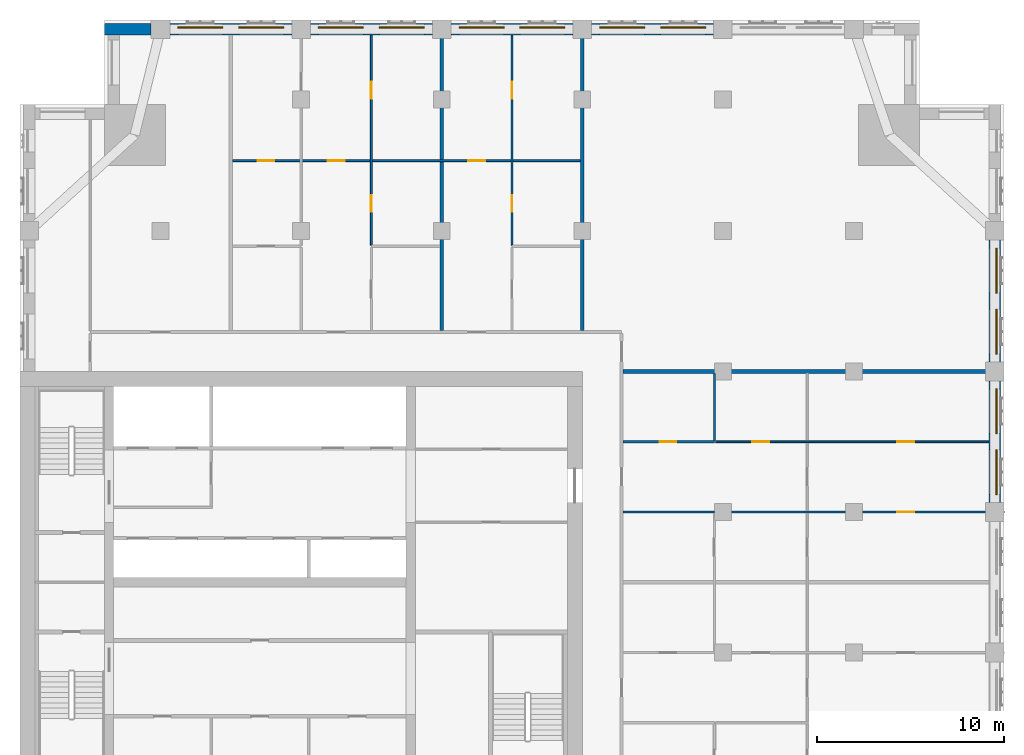
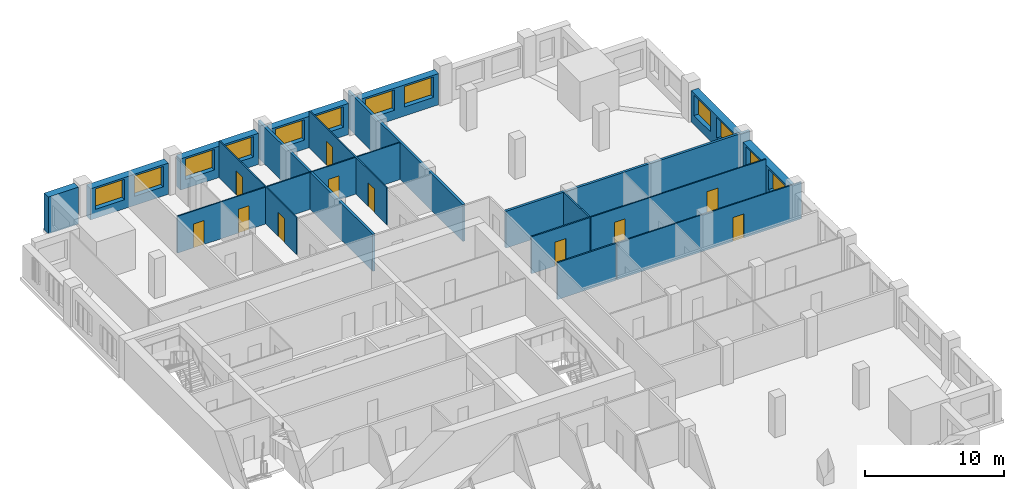
# One storey, part 11 of 14: 18 walls, 12 windows, 11 doors, 23 openings.
"""IFC4 building model written with IfcOpenShell, lengths in metres."""

from ifc_helpers import new_model, si_unit, direction, frame, frame_2d, origin, place, context, subcontext, project, spatial, rectangle, extrude, material, layer, layer_set, type_object, element, fill, save


model = new_model("IFC4")

# Units and contexts
model_context = context("Model", 3, precision=1e-05, world=origin(), true_north=direction((0.0, 1.0)))
body_context = subcontext(model_context, "Body", "Model", "MODEL_VIEW")
ifc_project = project(units=[si_unit("LENGTHUNIT", "METRE"), si_unit("AREAUNIT", "SQUARE_METRE"), si_unit("VOLUMEUNIT", "CUBIC_METRE"), si_unit("PLANEANGLEUNIT", "RADIAN"), si_unit("MASSUNIT", "GRAM", prefix="KILO")], contexts=[model_context])

# Site, building, storey
site_placement = place(None, origin())
site = spatial("IfcSite", under=ifc_project, at=site_placement, CompositionType="ELEMENT")
building_placement = place(site_placement, origin())
building = spatial("IfcBuilding", under=site, at=building_placement, Name="Tamorin Gate", CompositionType="ELEMENT")
storey_placement = place(building_placement, frame((0.0, 0.0, 193.199951171875)))
storey = spatial("IfcBuildingStorey", under=building, at=storey_placement, Name="L47", CompositionType="ELEMENT", Elevation=193.199951171875)

# Wall, openings, windows
ifc_material_1 = material(Name="Precast concrete C40/50", Category="concrete")
ifc_layer_1 = layer(ifc_material_1, 0.60009765625)
ifc_layer_set_1 = layer_set([ifc_layer_1], Name="Precast concrete C40/50")
wall_type_1 = type_object("IfcWallType", Name="Board-marked concrete facade panel 600", PredefinedType="SOLIDWALL", material=ifc_layer_set_1)
wall_1_placement = place(storey_placement, frame((82.0, 75.5, 0.0), z_axis=(0.0, 0.0, 1.0), x_axis=(0.0, 1.0, 0.0)))
wall_1 = element("IfcWall", 1, at=wall_1_placement, inside=storey, type_object=wall_type_1, Name="Facade panel", PredefinedType="SOLIDWALL", context=body_context, shape_type="SweptSolid", body=[
    extrude(rectangle(XDim=6.5, YDim=0.60009765625, at=frame_2d((3.25, 0.0))), origin(), (0.0, 0.0, 1.0), 2.75),
])
opening_1_placement = place(wall_1_placement, frame((0.425048828125, 0.0, 0.800048828125)))
opening_1 = element("IfcOpeningElement", 2, at=opening_1_placement, cuts=wall_1, Name="Opening WN1", PredefinedType="OPENING", context=body_context, shape_type="SweptSolid", body=[
    extrude(rectangle(XDim=2.39990234375, YDim=1.800048828125, at=frame_2d((1.199951171875, 0.89990234375))), frame((0.0, 0.31005859375, 0.0), z_axis=(0.0, -1.0, 0.0), x_axis=(1.0, 0.0, 0.0)), (0.0, 0.0, 1.0), 0.6201171875),
])
opening_2_placement = place(wall_1_placement, frame((3.675048828125, 0.0, 0.800048828125)))
opening_2 = element("IfcOpeningElement", 3, at=opening_2_placement, cuts=wall_1, Name="Opening WN1", PredefinedType="OPENING", context=body_context, shape_type="SweptSolid", body=[
    extrude(rectangle(XDim=2.39990234375, YDim=1.800048828125, at=frame_2d((1.199951171875, 0.89990234375))), frame((0.0, 0.31005859375, 0.0), z_axis=(0.0, -1.0, 0.0), x_axis=(1.0, 0.0, 0.0)), (0.0, 0.0, 1.0), 0.6201171875),
])
ifc_material_2 = material(Name="Clear glass in aluminium frame", Category="aluminium")
window_type = type_object("IfcWindowType", Name="Deep-set window 2400x1800", PartitioningType="SINGLE_PANEL", PredefinedType="WINDOW", material=ifc_material_2)
window_1_placement = place(opening_1_placement, origin())
window_1 = element("IfcWindow", 4, at=window_1_placement, inside=storey, type_object=window_type, Name="Deep-set window", OverallHeight=1.800048828125, OverallWidth=2.39990234375, PartitioningType="SINGLE_PANEL", PredefinedType="WINDOW", context=body_context, shape_type="SweptSolid", body=[
    extrude(rectangle(XDim=2.39990234375, YDim=1.800048828125, at=frame_2d((1.199951171875, 0.89990234375))), frame((0.0, -0.070068359375, 0.0), z_axis=(0.0, -1.0, 0.0), x_axis=(1.0, 0.0, 0.0)), (0.0, 0.0, 1.0), 0.06005859375),
])
fill(opening_1, window_1)
window_2_placement = place(opening_2_placement, origin())
window_2 = element("IfcWindow", 5, at=window_2_placement, inside=storey, type_object=window_type, Name="Deep-set window", OverallHeight=1.800048828125, OverallWidth=2.39990234375, PartitioningType="SINGLE_PANEL", PredefinedType="WINDOW", context=body_context, shape_type="SweptSolid", body=[
    extrude(rectangle(XDim=2.39990234375, YDim=1.800048828125, at=frame_2d((1.199951171875, 0.89990234375))), frame((0.0, -0.070068359375, 0.0), z_axis=(0.0, -1.0, 0.0), x_axis=(1.0, 0.0, 0.0)), (0.0, 0.0, 1.0), 0.06005859375),
])
fill(opening_2, window_2)

wall_2_placement = place(storey_placement, frame((82.0, 83.0, 0.0), z_axis=(0.0, 0.0, 1.0), x_axis=(0.0, 1.0, 0.0)))
wall_2 = element("IfcWall", 6, at=wall_2_placement, inside=storey, type_object=wall_type_1, Name="Facade panel", PredefinedType="SOLIDWALL", context=body_context, shape_type="SweptSolid", body=[
    extrude(rectangle(XDim=6.5, YDim=0.60009765625, at=frame_2d((3.25, 0.0))), origin(), (0.0, 0.0, 1.0), 2.75),
])
opening_3_placement = place(wall_2_placement, frame((0.425048828125, 0.0, 0.800048828125)))
opening_3 = element("IfcOpeningElement", 7, at=opening_3_placement, cuts=wall_2, Name="Opening WN1", PredefinedType="OPENING", context=body_context, shape_type="SweptSolid", body=[
    extrude(rectangle(XDim=2.39990234375, YDim=1.800048828125, at=frame_2d((1.199951171875, 0.89990234375))), frame((0.0, 0.31005859375, 0.0), z_axis=(0.0, -1.0, 0.0), x_axis=(1.0, 0.0, 0.0)), (0.0, 0.0, 1.0), 0.6201171875),
])
opening_4_placement = place(wall_2_placement, frame((3.675048828125, 0.0, 0.800048828125)))
opening_4 = element("IfcOpeningElement", 8, at=opening_4_placement, cuts=wall_2, Name="Opening WN1", PredefinedType="OPENING", context=body_context, shape_type="SweptSolid", body=[
    extrude(rectangle(XDim=2.39990234375, YDim=1.800048828125, at=frame_2d((1.199951171875, 0.89990234375))), frame((0.0, 0.31005859375, 0.0), z_axis=(0.0, -1.0, 0.0), x_axis=(1.0, 0.0, 0.0)), (0.0, 0.0, 1.0), 0.6201171875),
])
window_3_placement = place(opening_3_placement, origin())
window_3 = element("IfcWindow", 9, at=window_3_placement, inside=storey, type_object=window_type, Name="Deep-set window", OverallHeight=1.800048828125, OverallWidth=2.39990234375, PartitioningType="SINGLE_PANEL", PredefinedType="WINDOW", context=body_context, shape_type="SweptSolid", body=[
    extrude(rectangle(XDim=2.39990234375, YDim=1.800048828125, at=frame_2d((1.199951171875, 0.89990234375))), frame((0.0, -0.070068359375, 0.0), z_axis=(0.0, -1.0, 0.0), x_axis=(1.0, 0.0, 0.0)), (0.0, 0.0, 1.0), 0.06005859375),
])
fill(opening_3, window_3)
window_4_placement = place(opening_4_placement, origin())
window_4 = element("IfcWindow", 10, at=window_4_placement, inside=storey, type_object=window_type, Name="Deep-set window", OverallHeight=1.800048828125, OverallWidth=2.39990234375, PartitioningType="SINGLE_PANEL", PredefinedType="WINDOW", context=body_context, shape_type="SweptSolid", body=[
    extrude(rectangle(XDim=2.39990234375, YDim=1.800048828125, at=frame_2d((1.199951171875, 0.89990234375))), frame((0.0, -0.070068359375, 0.0), z_axis=(0.0, -1.0, 0.0), x_axis=(1.0, 0.0, 0.0)), (0.0, 0.0, 1.0), 0.06005859375),
])
fill(opening_4, window_4)

wall_3_placement = place(storey_placement, frame((67.0, 100.75, 0.0), z_axis=(0.0, 0.0, 1.0), x_axis=(-1.0, 0.0, 0.0)))
wall_3 = element("IfcWall", 11, at=wall_3_placement, inside=storey, type_object=wall_type_1, Name="Facade panel", PredefinedType="SOLIDWALL", context=body_context, shape_type="SweptSolid", body=[
    extrude(rectangle(XDim=6.5, YDim=0.60009765625, at=frame_2d((3.25, 0.0))), origin(), (0.0, 0.0, 1.0), 2.75),
])
opening_5_placement = place(wall_3_placement, frame((3.675048828125, 0.0, 0.800048828125)))
opening_5 = element("IfcOpeningElement", 12, at=opening_5_placement, cuts=wall_3, Name="Opening WN1", PredefinedType="OPENING", context=body_context, shape_type="SweptSolid", body=[
    extrude(rectangle(XDim=2.39990234375, YDim=1.800048828125, at=frame_2d((1.199951171875, 0.89990234375))), frame((0.0, 0.31005859375, 0.0), z_axis=(0.0, -1.0, 0.0), x_axis=(1.0, 0.0, 0.0)), (0.0, 0.0, 1.0), 0.6201171875),
])
opening_6_placement = place(wall_3_placement, frame((0.425048828125, 0.0, 0.800048828125)))
opening_6 = element("IfcOpeningElement", 13, at=opening_6_placement, cuts=wall_3, Name="Opening WN1", PredefinedType="OPENING", context=body_context, shape_type="SweptSolid", body=[
    extrude(rectangle(XDim=2.39990234375, YDim=1.800048828125, at=frame_2d((1.199951171875, 0.89990234375))), frame((0.0, 0.31005859375, 0.0), z_axis=(0.0, -1.0, 0.0), x_axis=(1.0, 0.0, 0.0)), (0.0, 0.0, 1.0), 0.6201171875),
])
window_5_placement = place(opening_5_placement, origin())
window_5 = element("IfcWindow", 14, at=window_5_placement, inside=storey, type_object=window_type, Name="Deep-set window", OverallHeight=1.800048828125, OverallWidth=2.39990234375, PartitioningType="SINGLE_PANEL", PredefinedType="WINDOW", context=body_context, shape_type="SweptSolid", body=[
    extrude(rectangle(XDim=2.39990234375, YDim=1.800048828125, at=frame_2d((1.199951171875, 0.89990234375))), frame((0.0, -0.070068359375, 0.0), z_axis=(0.0, -1.0, 0.0), x_axis=(1.0, 0.0, 0.0)), (0.0, 0.0, 1.0), 0.06005859375),
])
fill(opening_5, window_5)
window_6_placement = place(opening_6_placement, origin())
window_6 = element("IfcWindow", 15, at=window_6_placement, inside=storey, type_object=window_type, Name="Deep-set window", OverallHeight=1.800048828125, OverallWidth=2.39990234375, PartitioningType="SINGLE_PANEL", PredefinedType="WINDOW", context=body_context, shape_type="SweptSolid", body=[
    extrude(rectangle(XDim=2.39990234375, YDim=1.800048828125, at=frame_2d((1.199951171875, 0.89990234375))), frame((0.0, -0.070068359375, 0.0), z_axis=(0.0, -1.0, 0.0), x_axis=(1.0, 0.0, 0.0)), (0.0, 0.0, 1.0), 0.06005859375),
])
fill(opening_6, window_6)

wall_4_placement = place(storey_placement, frame((59.5, 100.75, 0.0), z_axis=(0.0, 0.0, 1.0), x_axis=(-1.0, 0.0, 0.0)))
wall_4 = element("IfcWall", 16, at=wall_4_placement, inside=storey, type_object=wall_type_1, Name="Facade panel", PredefinedType="SOLIDWALL", context=body_context, shape_type="SweptSolid", body=[
    extrude(rectangle(XDim=6.5, YDim=0.60009765625, at=frame_2d((3.25, 0.0))), origin(), (0.0, 0.0, 1.0), 2.75),
])
opening_7_placement = place(wall_4_placement, frame((3.675048828125, 0.0, 0.800048828125)))
opening_7 = element("IfcOpeningElement", 17, at=opening_7_placement, cuts=wall_4, Name="Opening WN1", PredefinedType="OPENING", context=body_context, shape_type="SweptSolid", body=[
    extrude(rectangle(XDim=2.39990234375, YDim=1.800048828125, at=frame_2d((1.199951171875, 0.89990234375))), frame((0.0, 0.31005859375, 0.0), z_axis=(0.0, -1.0, 0.0), x_axis=(1.0, 0.0, 0.0)), (0.0, 0.0, 1.0), 0.6201171875),
])
opening_8_placement = place(wall_4_placement, frame((0.425048828125, 0.0, 0.800048828125)))
opening_8 = element("IfcOpeningElement", 18, at=opening_8_placement, cuts=wall_4, Name="Opening WN1", PredefinedType="OPENING", context=body_context, shape_type="SweptSolid", body=[
    extrude(rectangle(XDim=2.39990234375, YDim=1.800048828125, at=frame_2d((1.199951171875, 0.89990234375))), frame((0.0, 0.31005859375, 0.0), z_axis=(0.0, -1.0, 0.0), x_axis=(1.0, 0.0, 0.0)), (0.0, 0.0, 1.0), 0.6201171875),
])
window_7_placement = place(opening_7_placement, origin())
window_7 = element("IfcWindow", 19, at=window_7_placement, inside=storey, type_object=window_type, Name="Deep-set window", OverallHeight=1.800048828125, OverallWidth=2.39990234375, PartitioningType="SINGLE_PANEL", PredefinedType="WINDOW", context=body_context, shape_type="SweptSolid", body=[
    extrude(rectangle(XDim=2.39990234375, YDim=1.800048828125, at=frame_2d((1.199951171875, 0.89990234375))), frame((0.0, -0.070068359375, 0.0), z_axis=(0.0, -1.0, 0.0), x_axis=(1.0, 0.0, 0.0)), (0.0, 0.0, 1.0), 0.06005859375),
])
fill(opening_7, window_7)
window_8_placement = place(opening_8_placement, origin())
window_8 = element("IfcWindow", 20, at=window_8_placement, inside=storey, type_object=window_type, Name="Deep-set window", OverallHeight=1.800048828125, OverallWidth=2.39990234375, PartitioningType="SINGLE_PANEL", PredefinedType="WINDOW", context=body_context, shape_type="SweptSolid", body=[
    extrude(rectangle(XDim=2.39990234375, YDim=1.800048828125, at=frame_2d((1.199951171875, 0.89990234375))), frame((0.0, -0.070068359375, 0.0), z_axis=(0.0, -1.0, 0.0), x_axis=(1.0, 0.0, 0.0)), (0.0, 0.0, 1.0), 0.06005859375),
])
fill(opening_8, window_8)

wall_5_placement = place(storey_placement, frame((52.0, 100.75, 0.0), z_axis=(0.0, 0.0, 1.0), x_axis=(-1.0, 0.0, 0.0)))
wall_5 = element("IfcWall", 21, at=wall_5_placement, inside=storey, type_object=wall_type_1, Name="Facade panel", PredefinedType="SOLIDWALL", context=body_context, shape_type="SweptSolid", body=[
    extrude(rectangle(XDim=6.5, YDim=0.60009765625, at=frame_2d((3.25, 0.0))), origin(), (0.0, 0.0, 1.0), 2.75),
])
opening_9_placement = place(wall_5_placement, frame((3.675048828125, 0.0, 0.800048828125)))
opening_9 = element("IfcOpeningElement", 22, at=opening_9_placement, cuts=wall_5, Name="Opening WN1", PredefinedType="OPENING", context=body_context, shape_type="SweptSolid", body=[
    extrude(rectangle(XDim=2.39990234375, YDim=1.800048828125, at=frame_2d((1.199951171875, 0.89990234375))), frame((0.0, 0.31005859375, 0.0), z_axis=(0.0, -1.0, 0.0), x_axis=(1.0, 0.0, 0.0)), (0.0, 0.0, 1.0), 0.6201171875),
])
opening_10_placement = place(wall_5_placement, frame((0.425048828125, 0.0, 0.800048828125)))
opening_10 = element("IfcOpeningElement", 23, at=opening_10_placement, cuts=wall_5, Name="Opening WN1", PredefinedType="OPENING", context=body_context, shape_type="SweptSolid", body=[
    extrude(rectangle(XDim=2.39990234375, YDim=1.800048828125, at=frame_2d((1.199951171875, 0.89990234375))), frame((0.0, 0.31005859375, 0.0), z_axis=(0.0, -1.0, 0.0), x_axis=(1.0, 0.0, 0.0)), (0.0, 0.0, 1.0), 0.6201171875),
])
window_9_placement = place(opening_9_placement, origin())
window_9 = element("IfcWindow", 24, at=window_9_placement, inside=storey, type_object=window_type, Name="Deep-set window", OverallHeight=1.800048828125, OverallWidth=2.39990234375, PartitioningType="SINGLE_PANEL", PredefinedType="WINDOW", context=body_context, shape_type="SweptSolid", body=[
    extrude(rectangle(XDim=2.39990234375, YDim=1.800048828125, at=frame_2d((1.199951171875, 0.89990234375))), frame((0.0, -0.070068359375, 0.0), z_axis=(0.0, -1.0, 0.0), x_axis=(1.0, 0.0, 0.0)), (0.0, 0.0, 1.0), 0.06005859375),
])
fill(opening_9, window_9)
window_10_placement = place(opening_10_placement, origin())
window_10 = element("IfcWindow", 25, at=window_10_placement, inside=storey, type_object=window_type, Name="Deep-set window", OverallHeight=1.800048828125, OverallWidth=2.39990234375, PartitioningType="SINGLE_PANEL", PredefinedType="WINDOW", context=body_context, shape_type="SweptSolid", body=[
    extrude(rectangle(XDim=2.39990234375, YDim=1.800048828125, at=frame_2d((1.199951171875, 0.89990234375))), frame((0.0, -0.070068359375, 0.0), z_axis=(0.0, -1.0, 0.0), x_axis=(1.0, 0.0, 0.0)), (0.0, 0.0, 1.0), 0.06005859375),
])
fill(opening_10, window_10)

wall_6_placement = place(storey_placement, frame((44.5, 100.75, 0.0), z_axis=(0.0, 0.0, 1.0), x_axis=(-1.0, 0.0, 0.0)))
wall_6 = element("IfcWall", 26, at=wall_6_placement, inside=storey, type_object=wall_type_1, Name="Facade panel", PredefinedType="SOLIDWALL", context=body_context, shape_type="SweptSolid", body=[
    extrude(rectangle(XDim=6.5, YDim=0.60009765625, at=frame_2d((3.25, 0.0))), origin(), (0.0, 0.0, 1.0), 2.75),
])
opening_11_placement = place(wall_6_placement, frame((3.675048828125, 0.0, 0.800048828125)))
opening_11 = element("IfcOpeningElement", 27, at=opening_11_placement, cuts=wall_6, Name="Opening WN1", PredefinedType="OPENING", context=body_context, shape_type="SweptSolid", body=[
    extrude(rectangle(XDim=2.39990234375, YDim=1.800048828125, at=frame_2d((1.199951171875, 0.89990234375))), frame((0.0, 0.31005859375, 0.0), z_axis=(0.0, -1.0, 0.0), x_axis=(1.0, 0.0, 0.0)), (0.0, 0.0, 1.0), 0.6201171875),
])
opening_12_placement = place(wall_6_placement, frame((0.425048828125, 0.0, 0.800048828125)))
opening_12 = element("IfcOpeningElement", 28, at=opening_12_placement, cuts=wall_6, Name="Opening WN1", PredefinedType="OPENING", context=body_context, shape_type="SweptSolid", body=[
    extrude(rectangle(XDim=2.39990234375, YDim=1.800048828125, at=frame_2d((1.199951171875, 0.89990234375))), frame((0.0, 0.31005859375, 0.0), z_axis=(0.0, -1.0, 0.0), x_axis=(1.0, 0.0, 0.0)), (0.0, 0.0, 1.0), 0.6201171875),
])
window_11_placement = place(opening_11_placement, origin())
window_11 = element("IfcWindow", 29, at=window_11_placement, inside=storey, type_object=window_type, Name="Deep-set window", OverallHeight=1.800048828125, OverallWidth=2.39990234375, PartitioningType="SINGLE_PANEL", PredefinedType="WINDOW", context=body_context, shape_type="SweptSolid", body=[
    extrude(rectangle(XDim=2.39990234375, YDim=1.800048828125, at=frame_2d((1.199951171875, 0.89990234375))), frame((0.0, -0.070068359375, 0.0), z_axis=(0.0, -1.0, 0.0), x_axis=(1.0, 0.0, 0.0)), (0.0, 0.0, 1.0), 0.06005859375),
])
fill(opening_11, window_11)
window_12_placement = place(opening_12_placement, origin())
window_12 = element("IfcWindow", 30, at=window_12_placement, inside=storey, type_object=window_type, Name="Deep-set window", OverallHeight=1.800048828125, OverallWidth=2.39990234375, PartitioningType="SINGLE_PANEL", PredefinedType="WINDOW", context=body_context, shape_type="SweptSolid", body=[
    extrude(rectangle(XDim=2.39990234375, YDim=1.800048828125, at=frame_2d((1.199951171875, 0.89990234375))), frame((0.0, -0.070068359375, 0.0), z_axis=(0.0, -1.0, 0.0), x_axis=(1.0, 0.0, 0.0)), (0.0, 0.0, 1.0), 0.06005859375),
])
fill(opening_12, window_12)

# Walls
wall_7_placement = place(storey_placement, frame((37.0, 100.75, 0.0), z_axis=(0.0, 0.0, 1.0), x_axis=(-1.0, 0.0, 0.0)))
element("IfcWall", 31, at=wall_7_placement, inside=storey, type_object=wall_type_1, Name="Facade panel", PredefinedType="SOLIDWALL", context=body_context, shape_type="SweptSolid", body=[
    extrude(rectangle(XDim=2.5, YDim=0.60009765625, at=frame_2d((1.25, 0.0))), origin(), (0.0, 0.0, 1.0), 3.25),
])
ifc_material_3 = material(Name="Gypsum board partition")
ifc_layer_2 = layer(ifc_material_3, 0.199951171875)
ifc_layer_set_2 = layer_set([ifc_layer_2], Name="Demising wall 200")
wall_type_2 = type_object("IfcWallType", Name="Demising wall 200", PredefinedType="PARTITIONING", material=ifc_layer_set_2)
wall_8_placement = place(storey_placement, frame((62.175048828125, 82.5, 0.0), z_axis=(0.0, 0.0, 1.0), x_axis=(1.0, 0.0, 0.0)))
element("IfcWall", 32, at=wall_8_placement, inside=storey, type_object=wall_type_2, Name="Demising wall 200", PredefinedType="PARTITIONING", context=body_context, shape_type="SweptSolid", body=[
    extrude(rectangle(XDim=20.324951171875, YDim=0.199951171875, at=frame_2d((10.16259765625, 0.0))), origin(), (0.0, 0.0, 1.0), 3.25),
])
for number, where, z_axis, x_axis, name in (
    (33, (52.5, 84.675048828125, 0.0), (0.0, 0.0, 1.0), (0.0, 1.0, 0.0), "Demising wall 200"),
    (34, (60.0, 84.675048828125, 0.0), (0.0, 0.0, 1.0), (0.0, 1.0, 0.0), "Demising wall 200"),
):
    element("IfcWall", number, at=place(storey_placement, frame(where, z_axis=z_axis, x_axis=x_axis)), inside=storey, type_object=wall_type_2, Name=name, PredefinedType="PARTITIONING", context=body_context, shape_type="SweptSolid", body=[
        extrude(rectangle(XDim=16.574951171875, YDim=0.199951171875, at=frame_2d((8.28759765625, 0.0))), origin(), (0.0, 0.0, 1.0), 3.25),
    ])

# Wall, opening, door
ifc_layer_3 = layer(ifc_material_3, 0.10009765625)
ifc_layer_set_3 = layer_set([ifc_layer_3], Name="Room partition 100")
wall_type_3 = type_object("IfcWallType", Name="Room partition 100", PredefinedType="PARTITIONING", material=ifc_layer_set_3)
wall_9_placement = place(storey_placement, frame((67.112548828125, 75.0, 0.0), z_axis=(0.0, 0.0, 1.0), x_axis=(1.0, 0.0, 0.0)))
wall_9 = element("IfcWall", 35, at=wall_9_placement, inside=storey, type_object=wall_type_3, Name="Room partition 100", PredefinedType="PARTITIONING", context=body_context, shape_type="SweptSolid", body=[
    extrude(rectangle(XDim=15.387451171875, YDim=0.10009765625, at=frame_2d((7.69384765625, 0.0))), origin(), (0.0, 0.0, 1.0), 3.25),
])
opening_13_placement = place(wall_9_placement, frame((9.6875, 0.0, 0.0)))
opening_13 = element("IfcOpeningElement", 36, at=opening_13_placement, cuts=wall_9, Name="Opening DR1051", PredefinedType="OPENING", context=body_context, shape_type="SweptSolid", body=[
    extrude(rectangle(XDim=0.89990234375, YDim=2.10009765625, at=frame_2d((0.449951171875, 1.050048828125))), frame((0.0, 0.06005859375, 0.0), z_axis=(0.0, -1.0, 0.0), x_axis=(1.0, 0.0, 0.0)), (0.0, 0.0, 1.0), 0.1201171875),
])
ifc_material_4 = material(Name="Timber door leaf", Category="wood")
door_type = type_object("IfcDoorType", Name="Door 900 x 2100", OperationType="NOTDEFINED", PredefinedType="DOOR", material=ifc_material_4)
door_1_placement = place(opening_13_placement, origin())
door_1 = element("IfcDoor", 37, at=door_1_placement, inside=storey, type_object=door_type, Name="Door DR1051", OperationType="SINGLE_SWING_RIGHT", OverallHeight=2.10009765625, OverallWidth=0.89990234375, PredefinedType="DOOR", context=body_context, shape_type="SweptSolid", body=[
    extrude(rectangle(XDim=0.89990234375, YDim=2.10009765625, at=frame_2d((0.449951171875, 1.050048828125))), frame((0.0, 0.02490234375, 0.0), z_axis=(0.0, -1.0, 0.0), x_axis=(1.0, 0.0, 0.0)), (0.0, 0.0, 1.0), 0.050048828125),
])
fill(opening_13, door_1)

# Wall, openings, doors
wall_10_placement = place(storey_placement, frame((67.112548828125, 78.75, 0.0), z_axis=(0.0, 0.0, 1.0), x_axis=(1.0, 0.0, 0.0)))
wall_10 = element("IfcWall", 38, at=wall_10_placement, inside=storey, type_object=wall_type_3, Name="Room partition 100", PredefinedType="PARTITIONING", context=body_context, shape_type="SweptSolid", body=[
    extrude(rectangle(XDim=14.577392578125, YDim=0.10009765625, at=frame_2d((7.28857421875, 0.0))), origin(), (0.0, 0.0, 1.0), 3.25),
])
opening_14_placement = place(wall_10_placement, frame((1.96240234375, 0.0, 0.0)))
opening_14 = element("IfcOpeningElement", 39, at=opening_14_placement, cuts=wall_10, Name="Opening DR1049", PredefinedType="OPENING", context=body_context, shape_type="SweptSolid", body=[
    extrude(rectangle(XDim=0.89990234375, YDim=2.10009765625, at=frame_2d((0.449951171875, 1.050048828125))), frame((0.0, 0.06005859375, 0.0), z_axis=(0.0, -1.0, 0.0), x_axis=(1.0, 0.0, 0.0)), (0.0, 0.0, 1.0), 0.1201171875),
])
opening_15_placement = place(wall_10_placement, frame((9.6875, 0.0, 0.0)))
opening_15 = element("IfcOpeningElement", 40, at=opening_15_placement, cuts=wall_10, Name="Opening DR1052", PredefinedType="OPENING", context=body_context, shape_type="SweptSolid", body=[
    extrude(rectangle(XDim=0.89990234375, YDim=2.10009765625, at=frame_2d((0.449951171875, 1.050048828125))), frame((0.0, 0.06005859375, 0.0), z_axis=(0.0, -1.0, 0.0), x_axis=(1.0, 0.0, 0.0)), (0.0, 0.0, 1.0), 0.1201171875),
])
door_2_placement = place(opening_14_placement, origin())
door_2 = element("IfcDoor", 41, at=door_2_placement, inside=storey, type_object=door_type, Name="Door DR1049", OperationType="SINGLE_SWING_LEFT", OverallHeight=2.10009765625, OverallWidth=0.89990234375, PredefinedType="DOOR", context=body_context, shape_type="SweptSolid", body=[
    extrude(rectangle(XDim=0.89990234375, YDim=2.10009765625, at=frame_2d((0.449951171875, 1.050048828125))), frame((0.0, 0.02490234375, 0.0), z_axis=(0.0, -1.0, 0.0), x_axis=(1.0, 0.0, 0.0)), (0.0, 0.0, 1.0), 0.050048828125),
])
fill(opening_14, door_2)
door_3_placement = place(opening_15_placement, origin())
door_3 = element("IfcDoor", 42, at=door_3_placement, inside=storey, type_object=door_type, Name="Door DR1052", OperationType="SINGLE_SWING_RIGHT", OverallHeight=2.10009765625, OverallWidth=0.89990234375, PredefinedType="DOOR", context=body_context, shape_type="SweptSolid", body=[
    extrude(rectangle(XDim=0.89990234375, YDim=2.10009765625, at=frame_2d((0.449951171875, 1.050048828125))), frame((0.0, 0.02490234375, 0.0), z_axis=(0.0, -1.0, 0.0), x_axis=(1.0, 0.0, 0.0)), (0.0, 0.0, 1.0), 0.050048828125),
])
fill(opening_15, door_3)

wall_11_placement = place(storey_placement, frame((41.35009765625, 93.75, 0.0), z_axis=(0.0, 0.0, 1.0), x_axis=(1.0, 0.0, 0.0)))
wall_11 = element("IfcWall", 43, at=wall_11_placement, inside=storey, type_object=wall_type_3, Name="Room partition 100", PredefinedType="PARTITIONING", context=body_context, shape_type="SweptSolid", body=[
    extrude(rectangle(XDim=18.5498046875, YDim=0.10009765625, at=frame_2d((9.27490234375, 0.0))), origin(), (0.0, 0.0, 1.0), 3.25),
])
opening_16_placement = place(wall_11_placement, frame((1.324951171875, 0.0, 0.0)))
opening_16 = element("IfcOpeningElement", 44, at=opening_16_placement, cuts=wall_11, Name="Opening DR1023", PredefinedType="OPENING", context=body_context, shape_type="SweptSolid", body=[
    extrude(rectangle(XDim=0.89990234375, YDim=2.10009765625, at=frame_2d((0.449951171875, 1.050048828125))), frame((0.0, 0.06005859375, 0.0), z_axis=(0.0, -1.0, 0.0), x_axis=(1.0, 0.0, 0.0)), (0.0, 0.0, 1.0), 0.1201171875),
])
opening_17_placement = place(wall_11_placement, frame((5.074951171875, 0.0, 0.0)))
opening_17 = element("IfcOpeningElement", 45, at=opening_17_placement, cuts=wall_11, Name="Opening DR1026", PredefinedType="OPENING", context=body_context, shape_type="SweptSolid", body=[
    extrude(rectangle(XDim=0.89990234375, YDim=2.10009765625, at=frame_2d((0.449951171875, 1.050048828125))), frame((0.0, 0.06005859375, 0.0), z_axis=(0.0, -1.0, 0.0), x_axis=(1.0, 0.0, 0.0)), (0.0, 0.0, 1.0), 0.1201171875),
])
opening_18_placement = place(wall_11_placement, frame((12.574951171875, 0.0, 0.0)))
opening_18 = element("IfcOpeningElement", 46, at=opening_18_placement, cuts=wall_11, Name="Opening DR1032", PredefinedType="OPENING", context=body_context, shape_type="SweptSolid", body=[
    extrude(rectangle(XDim=0.89990234375, YDim=2.10009765625, at=frame_2d((0.449951171875, 1.050048828125))), frame((0.0, 0.06005859375, 0.0), z_axis=(0.0, -1.0, 0.0), x_axis=(1.0, 0.0, 0.0)), (0.0, 0.0, 1.0), 0.1201171875),
])
door_4_placement = place(opening_16_placement, origin())
door_4 = element("IfcDoor", 47, at=door_4_placement, inside=storey, type_object=door_type, Name="Door DR1023", OperationType="SINGLE_SWING_RIGHT", OverallHeight=2.10009765625, OverallWidth=0.89990234375, PredefinedType="DOOR", context=body_context, shape_type="SweptSolid", body=[
    extrude(rectangle(XDim=0.89990234375, YDim=2.10009765625, at=frame_2d((0.449951171875, 1.050048828125))), frame((0.0, 0.02490234375, 0.0), z_axis=(0.0, -1.0, 0.0), x_axis=(1.0, 0.0, 0.0)), (0.0, 0.0, 1.0), 0.050048828125),
])
fill(opening_16, door_4)
door_5_placement = place(opening_17_placement, origin())
door_5 = element("IfcDoor", 48, at=door_5_placement, inside=storey, type_object=door_type, Name="Door DR1026", OperationType="SINGLE_SWING_RIGHT", OverallHeight=2.10009765625, OverallWidth=0.89990234375, PredefinedType="DOOR", context=body_context, shape_type="SweptSolid", body=[
    extrude(rectangle(XDim=0.89990234375, YDim=2.10009765625, at=frame_2d((0.449951171875, 1.050048828125))), frame((0.0, 0.02490234375, 0.0), z_axis=(0.0, -1.0, 0.0), x_axis=(1.0, 0.0, 0.0)), (0.0, 0.0, 1.0), 0.050048828125),
])
fill(opening_17, door_5)
door_6_placement = place(opening_18_placement, origin())
door_6 = element("IfcDoor", 49, at=door_6_placement, inside=storey, type_object=door_type, Name="Door DR1032", OperationType="SINGLE_SWING_RIGHT", OverallHeight=2.10009765625, OverallWidth=0.89990234375, PredefinedType="DOOR", context=body_context, shape_type="SweptSolid", body=[
    extrude(rectangle(XDim=0.89990234375, YDim=2.10009765625, at=frame_2d((0.449951171875, 1.050048828125))), frame((0.0, 0.02490234375, 0.0), z_axis=(0.0, -1.0, 0.0), x_axis=(1.0, 0.0, 0.0)), (0.0, 0.0, 1.0), 0.050048828125),
])
fill(opening_18, door_6)

wall_12_placement = place(storey_placement, frame((48.75, 89.237548828125, 0.0), z_axis=(0.0, 0.0, 1.0), x_axis=(0.0, 1.0, 0.0)))
wall_12 = element("IfcWall", 50, at=wall_12_placement, inside=storey, type_object=wall_type_3, Name="Room partition 100", PredefinedType="PARTITIONING", context=body_context, shape_type="SweptSolid", body=[
    extrude(rectangle(XDim=11.202392578125, YDim=0.10009765625, at=frame_2d((5.60107421875, 0.0))), origin(), (0.0, 0.0, 1.0), 3.25),
])
opening_19_placement = place(wall_12_placement, frame((1.77490234375, 0.0, 0.0)))
opening_19 = element("IfcOpeningElement", 51, at=opening_19_placement, cuts=wall_12, Name="Opening DR1027", PredefinedType="OPENING", context=body_context, shape_type="SweptSolid", body=[
    extrude(rectangle(XDim=0.89990234375, YDim=2.10009765625, at=frame_2d((0.449951171875, 1.050048828125))), frame((0.0, 0.06005859375, 0.0), z_axis=(0.0, -1.0, 0.0), x_axis=(1.0, 0.0, 0.0)), (0.0, 0.0, 1.0), 0.1201171875),
])
opening_20_placement = place(wall_12_placement, frame((7.8125, 0.0, 0.0)))
opening_20 = element("IfcOpeningElement", 52, at=opening_20_placement, cuts=wall_12, Name="Opening DR1030", PredefinedType="OPENING", context=body_context, shape_type="SweptSolid", body=[
    extrude(rectangle(XDim=0.89990234375, YDim=2.10009765625, at=frame_2d((0.449951171875, 1.050048828125))), frame((0.0, 0.06005859375, 0.0), z_axis=(0.0, -1.0, 0.0), x_axis=(1.0, 0.0, 0.0)), (0.0, 0.0, 1.0), 0.1201171875),
])
door_7_placement = place(opening_19_placement, origin())
door_7 = element("IfcDoor", 53, at=door_7_placement, inside=storey, type_object=door_type, Name="Door DR1027", OperationType="SINGLE_SWING_RIGHT", OverallHeight=2.10009765625, OverallWidth=0.89990234375, PredefinedType="DOOR", context=body_context, shape_type="SweptSolid", body=[
    extrude(rectangle(XDim=0.89990234375, YDim=2.10009765625, at=frame_2d((0.449951171875, 1.050048828125))), frame((0.0, 0.02490234375, 0.0), z_axis=(0.0, -1.0, 0.0), x_axis=(1.0, 0.0, 0.0)), (0.0, 0.0, 1.0), 0.050048828125),
])
fill(opening_19, door_7)
door_8_placement = place(opening_20_placement, origin())
door_8 = element("IfcDoor", 54, at=door_8_placement, inside=storey, type_object=door_type, Name="Door DR1030", OperationType="SINGLE_SWING_LEFT", OverallHeight=2.10009765625, OverallWidth=0.89990234375, PredefinedType="DOOR", context=body_context, shape_type="SweptSolid", body=[
    extrude(rectangle(XDim=0.89990234375, YDim=2.10009765625, at=frame_2d((0.449951171875, 1.050048828125))), frame((0.0, 0.02490234375, 0.0), z_axis=(0.0, -1.0, 0.0), x_axis=(1.0, 0.0, 0.0)), (0.0, 0.0, 1.0), 0.050048828125),
])
fill(opening_20, door_8)

wall_13_placement = place(storey_placement, frame((56.25, 89.237548828125, 0.0), z_axis=(0.0, 0.0, 1.0), x_axis=(0.0, 1.0, 0.0)))
wall_13 = element("IfcWall", 55, at=wall_13_placement, inside=storey, type_object=wall_type_3, Name="Room partition 100", PredefinedType="PARTITIONING", context=body_context, shape_type="SweptSolid", body=[
    extrude(rectangle(XDim=11.202392578125, YDim=0.10009765625, at=frame_2d((5.60107421875, 0.0))), origin(), (0.0, 0.0, 1.0), 3.25),
])
opening_21_placement = place(wall_13_placement, frame((1.77490234375, 0.0, 0.0)))
opening_21 = element("IfcOpeningElement", 56, at=opening_21_placement, cuts=wall_13, Name="Opening DR1033", PredefinedType="OPENING", context=body_context, shape_type="SweptSolid", body=[
    extrude(rectangle(XDim=0.89990234375, YDim=2.10009765625, at=frame_2d((0.449951171875, 1.050048828125))), frame((0.0, 0.06005859375, 0.0), z_axis=(0.0, -1.0, 0.0), x_axis=(1.0, 0.0, 0.0)), (0.0, 0.0, 1.0), 0.1201171875),
])
opening_22_placement = place(wall_13_placement, frame((7.8125, 0.0, 0.0)))
opening_22 = element("IfcOpeningElement", 57, at=opening_22_placement, cuts=wall_13, Name="Opening DR1035", PredefinedType="OPENING", context=body_context, shape_type="SweptSolid", body=[
    extrude(rectangle(XDim=0.89990234375, YDim=2.10009765625, at=frame_2d((0.449951171875, 1.050048828125))), frame((0.0, 0.06005859375, 0.0), z_axis=(0.0, -1.0, 0.0), x_axis=(1.0, 0.0, 0.0)), (0.0, 0.0, 1.0), 0.1201171875),
])
door_9_placement = place(opening_21_placement, origin())
door_9 = element("IfcDoor", 58, at=door_9_placement, inside=storey, type_object=door_type, Name="Door DR1033", OperationType="SINGLE_SWING_RIGHT", OverallHeight=2.10009765625, OverallWidth=0.89990234375, PredefinedType="DOOR", context=body_context, shape_type="SweptSolid", body=[
    extrude(rectangle(XDim=0.89990234375, YDim=2.10009765625, at=frame_2d((0.449951171875, 1.050048828125))), frame((0.0, 0.02490234375, 0.0), z_axis=(0.0, -1.0, 0.0), x_axis=(1.0, 0.0, 0.0)), (0.0, 0.0, 1.0), 0.050048828125),
])
fill(opening_21, door_9)
door_10_placement = place(opening_22_placement, origin())
door_10 = element("IfcDoor", 59, at=door_10_placement, inside=storey, type_object=door_type, Name="Door DR1035", OperationType="SINGLE_SWING_LEFT", OverallHeight=2.10009765625, OverallWidth=0.89990234375, PredefinedType="DOOR", context=body_context, shape_type="SweptSolid", body=[
    extrude(rectangle(XDim=0.89990234375, YDim=2.10009765625, at=frame_2d((0.449951171875, 1.050048828125))), frame((0.0, 0.02490234375, 0.0), z_axis=(0.0, -1.0, 0.0), x_axis=(1.0, 0.0, 0.0)), (0.0, 0.0, 1.0), 0.050048828125),
])
fill(opening_22, door_10)

# Wall
ifc_layer_4 = layer(ifc_material_3, 0.125)
ifc_layer_set_4 = layer_set([ifc_layer_4], Name="Wet wall 125")
wall_type_4 = type_object("IfcWallType", Name="Wet wall 125", PredefinedType="PARTITIONING", material=ifc_layer_set_4)
wall_14_placement = place(storey_placement, frame((62.175048828125, 75.0, 0.0), z_axis=(0.0, 0.0, 1.0), x_axis=(1.0, 0.0, 0.0)))
element("IfcWall", 60, at=wall_14_placement, inside=storey, type_object=wall_type_4, Name="Wet wall 125", PredefinedType="PARTITIONING", context=body_context, shape_type="SweptSolid", body=[
    extrude(rectangle(XDim=4.875, YDim=0.125, at=frame_2d((2.4375, 0.0))), origin(), (0.0, 0.0, 1.0), 3.25),
])

# Wall, opening, door
wall_15_placement = place(storey_placement, frame((62.175048828125, 78.75, 0.0), z_axis=(0.0, 0.0, 1.0), x_axis=(1.0, 0.0, 0.0)))
wall_15 = element("IfcWall", 61, at=wall_15_placement, inside=storey, type_object=wall_type_4, Name="Wet wall 125", PredefinedType="PARTITIONING", context=body_context, shape_type="SweptSolid", body=[
    extrude(rectangle(XDim=4.875, YDim=0.125, at=frame_2d((2.4375, 0.0))), origin(), (0.0, 0.0, 1.0), 3.25),
])
opening_23_placement = place(wall_15_placement, frame((1.949951171875, 0.0, 0.0)))
opening_23 = element("IfcOpeningElement", 62, at=opening_23_placement, cuts=wall_15, Name="Opening DR1050", PredefinedType="OPENING", context=body_context, shape_type="SweptSolid", body=[
    extrude(rectangle(XDim=0.89990234375, YDim=2.10009765625, at=frame_2d((0.449951171875, 1.050048828125))), frame((0.0, 0.072509765625, 0.0), z_axis=(0.0, -1.0, 0.0), x_axis=(1.0, 0.0, 0.0)), (0.0, 0.0, 1.0), 0.14501953125),
])
door_11_placement = place(opening_23_placement, origin())
door_11 = element("IfcDoor", 63, at=door_11_placement, inside=storey, type_object=door_type, Name="Door DR1050", OperationType="SINGLE_SWING_RIGHT", OverallHeight=2.10009765625, OverallWidth=0.89990234375, PredefinedType="DOOR", context=body_context, shape_type="SweptSolid", body=[
    extrude(rectangle(XDim=0.89990234375, YDim=2.10009765625, at=frame_2d((0.449951171875, 1.050048828125))), frame((0.0, 0.02490234375, 0.0), z_axis=(0.0, -1.0, 0.0), x_axis=(1.0, 0.0, 0.0)), (0.0, 0.0, 1.0), 0.050048828125),
])
fill(opening_23, door_11)

# Wall
wall_16_placement = place(storey_placement, frame((67.050048828125, 78.8125, 0.0), z_axis=(0.0, 0.0, 1.0), x_axis=(0.0, 1.0, 0.0)))
element("IfcWall", 64, at=wall_16_placement, inside=storey, type_object=wall_type_4, Name="Wet wall 125", PredefinedType="PARTITIONING", context=body_context, shape_type="SweptSolid", body=[
    extrude(rectangle(XDim=3.58740234375, YDim=0.125, at=frame_2d((1.793701171875, 0.0))), origin(), (0.0, 0.0, 1.0), 3.25),
])

save(model, "model.ifc")
